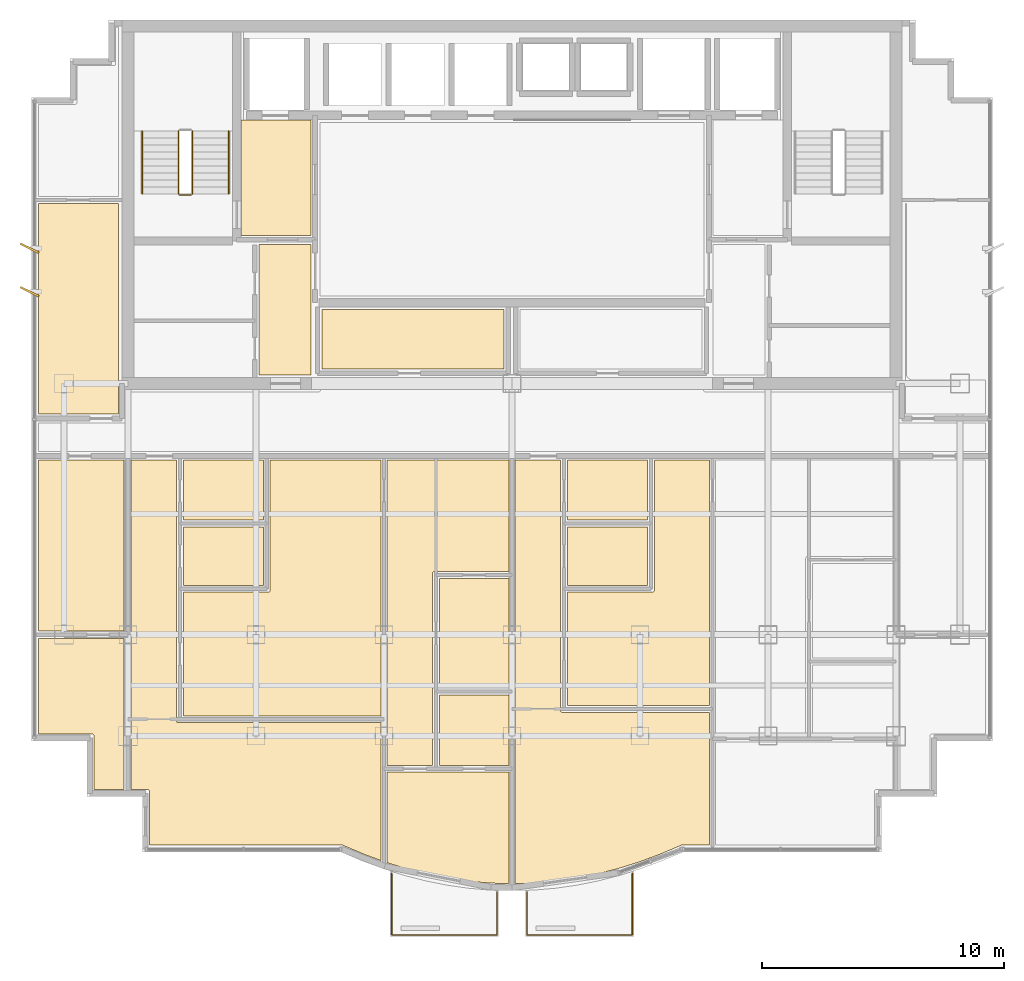
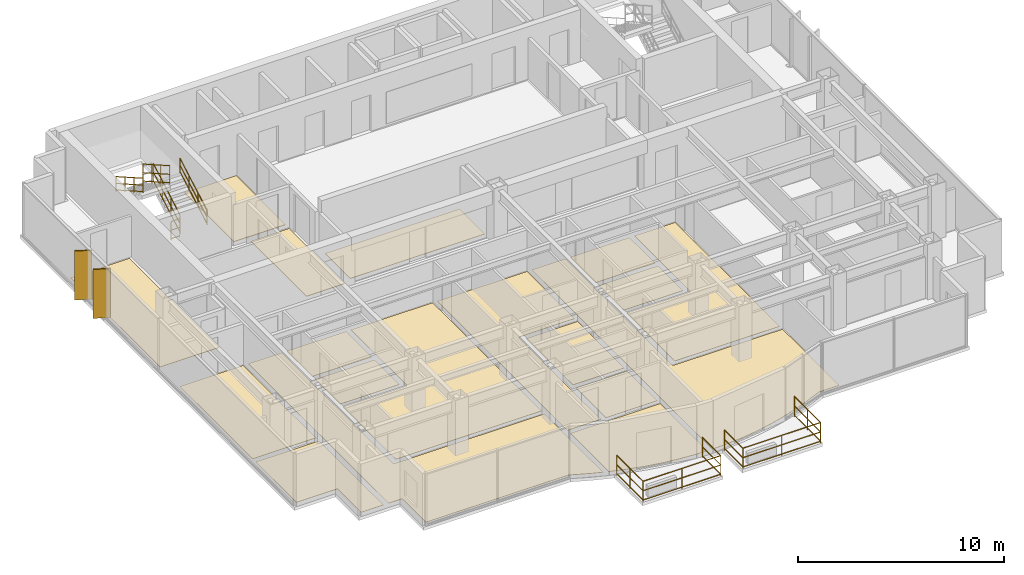
# One storey, part 11 of 12: 18 coverings, 7 railings, 2 shading devices.
"""IFC4 building model written with IfcOpenShell, lengths in metres."""

from ifc_helpers import new_model, si_unit, direction, frame, origin, origin_2d, place, context, subcontext, project, spatial, polyline, rectangle, circle, outline, extrude, source, transform, mapped, material, layer, layer_set, type_object, element, save


model = new_model("IFC4")

# Units and contexts
model_context = context("Model", 3, precision=1e-05, world=origin(), true_north=direction((0.0, 1.0)))
body_context = subcontext(model_context, "Body", "Model", "MODEL_VIEW")
ifc_project = project(units=[si_unit("LENGTHUNIT", "METRE"), si_unit("AREAUNIT", "SQUARE_METRE"), si_unit("VOLUMEUNIT", "CUBIC_METRE"), si_unit("PLANEANGLEUNIT", "RADIAN"), si_unit("MASSUNIT", "GRAM", prefix="KILO")], contexts=[model_context])

# Site, building, storey
site_placement = place(None, origin())
site = spatial("IfcSite", under=ifc_project, at=site_placement, CompositionType="ELEMENT")
building_placement = place(site_placement, origin())
building = spatial("IfcBuilding", under=site, at=building_placement, Name="Qianlan Lanfeng Residences", CompositionType="ELEMENT")
storey_placement = place(building_placement, frame((0.0, 0.0, 219.800048828125)))
storey = spatial("IfcBuildingStorey", under=building, at=storey_placement, Name="L60", CompositionType="ELEMENT", Elevation=219.800048828125)

# Coverings
ifc_material_1 = material(Name="Honed Taitung Granite Stone Flooring", Category="masonry")
ifc_layer_1 = layer(ifc_material_1, 0.030029296875)
ifc_layer_set_1 = layer_set([ifc_layer_1], Name="Honed Taitung Granite Stone Flooring")
covering_type_1 = type_object("IfcCoveringType", Name="FLR-STN-30", PredefinedType="FLOORING", material=ifc_layer_set_1)
covering_1_placement = place(storey_placement, origin())
element("IfcCovering", 1, at=covering_1_placement, inside=storey, type_object=covering_type_1, Name="L60 Firefighting Lift Lobby Floor Finish", PredefinedType="FLOORING", context=body_context, shape_type="SweptSolid", body=[
    extrude(outline(polyline([(15.2900390625, 31.320068359375), (18.179931640625, 31.320068359375), (18.179931640625, 36.110107421875), (15.2900390625, 36.110107421875), (15.2900390625, 31.320068359375)])), origin(), (0.0, 0.0, 1.0), 0.030029296875),
])
covering_2_placement = place(storey_placement, origin())
element("IfcCovering", 2, at=covering_2_placement, inside=storey, type_object=covering_type_1, Name="L60 Lift Lobby Floor Finish", PredefinedType="FLOORING", context=body_context, shape_type="SweptSolid", body=[
    extrude(outline(polyline([(16.030029296875, 25.56005859375), (18.169921875, 25.56005859375), (18.169921875, 30.949951171875), (16.030029296875, 30.949951171875), (16.030029296875, 25.56005859375)])), origin(), (0.0, 0.0, 1.0), 0.030029296875),
])
ifc_material_2 = material(Name="Slip-Resistant Porcelain Tile Flooring")
ifc_layer_2 = layer(ifc_material_2, 0.02001953125)
ifc_layer_set_2 = layer_set([ifc_layer_2], Name="Slip-Resistant Porcelain Tile Flooring")
covering_type_2 = type_object("IfcCoveringType", Name="FLR-TIL-20", PredefinedType="FLOORING", material=ifc_layer_set_2)
covering_3_placement = place(storey_placement, origin())
element("IfcCovering", 3, at=covering_3_placement, inside=storey, type_object=covering_type_2, Name="L60 Kitchen Floor Finish", PredefinedType="FLOORING", context=body_context, shape_type="SweptSolid", body=[
    extrude(outline(polyline([(12.889892578125, 16.840087890625), (16.2099609375, 16.840087890625), (16.2099609375, 19.260009765625), (12.889892578125, 19.260009765625), (12.889892578125, 16.840087890625)])), origin(), (0.0, 0.0, 1.0), 0.02001953125),
])
covering_4_placement = place(storey_placement, origin())
element("IfcCovering", 4, at=covering_4_placement, inside=storey, type_object=covering_type_2, Name="L60 Bathroom Floor Finish", PredefinedType="FLOORING", context=body_context, shape_type="SweptSolid", body=[
    extrude(outline(polyline([(12.889892578125, 19.5400390625), (16.2099609375, 19.5400390625), (16.2099609375, 22.030029296875), (12.889892578125, 22.030029296875), (12.889892578125, 19.5400390625)])), origin(), (0.0, 0.0, 1.0), 0.02001953125),
])
covering_5_placement = place(storey_placement, origin())
element("IfcCovering", 5, at=covering_5_placement, inside=storey, type_object=covering_type_2, Name="L60 En-Suite Bathroom Floor Finish", PredefinedType="FLOORING", context=body_context, shape_type="SweptSolid", body=[
    extrude(outline(polyline([(23.489990234375, 9.387939453125), (26.3701171875, 9.387939453125), (26.3701171875, 12.30810546875), (23.489990234375, 12.30810546875), (23.489990234375, 9.387939453125)])), origin(), (0.0, 0.0, 1.0), 0.02001953125),
])
covering_6_placement = place(storey_placement, origin())
element("IfcCovering", 6, at=covering_6_placement, inside=storey, type_object=covering_type_2, Name="L60 Kitchen Floor Finish", PredefinedType="FLOORING", context=body_context, shape_type="SweptSolid", body=[
    extrude(outline(polyline([(28.7900390625, 16.840087890625), (32.110107421875, 16.840087890625), (32.110107421875, 19.260009765625), (28.7900390625, 19.260009765625), (28.7900390625, 16.840087890625)])), origin(), (0.0, 0.0, 1.0), 0.02001953125),
])
covering_7_placement = place(storey_placement, origin())
element("IfcCovering", 7, at=covering_7_placement, inside=storey, type_object=covering_type_2, Name="L60 Bathroom Floor Finish", PredefinedType="FLOORING", context=body_context, shape_type="SweptSolid", body=[
    extrude(outline(polyline([(28.7900390625, 19.5400390625), (32.110107421875, 19.5400390625), (32.110107421875, 22.030029296875), (28.7900390625, 22.030029296875), (28.7900390625, 19.5400390625)])), origin(), (0.0, 0.0, 1.0), 0.02001953125),
])
ifc_material_3 = material(Name="Engineered Smoked Oak Timber Flooring", Category="wood")
ifc_layer_3 = layer(ifc_material_3, 0.02197265625)
ifc_layer_set_3 = layer_set([ifc_layer_3], Name="Engineered Smoked Oak Timber Flooring")
covering_type_3 = type_object("IfcCoveringType", Name="FLR-TIM-22", PredefinedType="FLOORING", material=ifc_layer_set_3)
covering_8_placement = place(storey_placement, origin())
element("IfcCovering", 8, at=covering_8_placement, inside=storey, type_object=covering_type_3, Name="L60 Resident Study Salon Floor Finish", PredefinedType="FLOORING", context=body_context, shape_type="SweptSolid", body=[
    extrude(outline(polyline([(18.6298828125, 25.800048828125), (26.169921875, 25.800048828125), (26.169921875, 28.2548828125), (18.6298828125, 28.2548828125), (18.6298828125, 25.800048828125)])), origin(), (0.0, 0.0, 1.0), 0.02197265625),
])
covering_9_placement = place(storey_placement, origin())
element("IfcCovering", 9, at=covering_9_placement, inside=storey, type_object=covering_type_3, Name="L60 Living and Dining Room Floor Finish", PredefinedType="FLOORING", context=body_context, shape_type="SweptSolid", body=[
    extrude(outline(polyline([(21.070068359375, 5.452880859375), (21.070068359375, 11.1630859375), (12.679931640625, 11.1630859375), (12.673095703125, 11.1630859375), (12.666015625, 11.1640625), (12.659912109375, 11.166015625), (12.653076171875, 11.16796875), (12.64697265625, 11.1708984375), (12.64111328125, 11.175048828125), (12.635986328125, 11.178955078125), (12.631103515625, 11.18408203125), (12.6259765625, 11.18896484375), (12.6220703125, 11.194091796875), (12.617919921875, 11.199951171875), (12.614990234375, 11.2060546875), (12.613037109375, 11.212890625), (12.611083984375, 11.218994140625), (12.610107421875, 11.22607421875), (12.610107421875, 11.23291015625), (12.610107421875, 22.030029296875), (10.72998046875, 22.030029296875), (10.72998046875, 8.389892578125), (11.419921875, 8.389892578125), (11.427001953125, 8.389892578125), (11.43408203125, 8.388916015625), (11.43994140625, 8.386962890625), (11.447021484375, 8.385009765625), (11.452880859375, 8.382080078125), (11.458984375, 8.3779296875), (11.464111328125, 8.3740234375), (11.468994140625, 8.368896484375), (11.47412109375, 8.364013671875), (11.47802734375, 8.35888671875), (11.48193359375, 8.35302734375), (11.485107421875, 8.346923828125), (11.487060546875, 8.340087890625), (11.489013671875, 8.333984375), (11.489990234375, 8.326904296875), (11.489990234375, 8.320068359375), (11.489990234375, 6.090087890625), (19.465087890625, 6.090087890625), (19.471923828125, 6.090087890625), (19.47900390625, 6.089111328125), (19.485107421875, 6.0869140625), (19.491943359375, 6.083984375), (20.412109375, 5.695068359375), (21.070068359375, 5.452880859375)])), origin(), (0.0, 0.0, 1.0), 0.02197265625),
])
covering_10_placement = place(storey_placement, origin())
element("IfcCovering", 10, at=covering_10_placement, inside=storey, type_object=covering_type_3, Name="L60 Villa Family Sitting Room Floor Finish", PredefinedType="FLOORING", context=body_context, shape_type="SweptSolid", body=[
    extrude(outline(polyline([(12.889892578125, 11.443115234375), (21.070068359375, 11.443115234375), (21.070068359375, 22.030029296875), (16.489990234375, 22.030029296875), (16.489990234375, 16.6298828125), (16.489990234375, 16.623046875), (16.489013671875, 16.615966796875), (16.487060546875, 16.610107421875), (16.485107421875, 16.60302734375), (16.48193359375, 16.596923828125), (16.47802734375, 16.591064453125), (16.47412109375, 16.5859375), (16.468994140625, 16.5810546875), (16.464111328125, 16.575927734375), (16.458984375, 16.572021484375), (16.452880859375, 16.568115234375), (16.447021484375, 16.56494140625), (16.43994140625, 16.56298828125), (16.43408203125, 16.56103515625), (16.427001953125, 16.56005859375), (16.419921875, 16.56005859375), (12.889892578125, 16.56005859375), (12.889892578125, 11.443115234375)])), origin(), (0.0, 0.0, 1.0), 0.02197265625),
])
covering_11_placement = place(storey_placement, origin())
element("IfcCovering", 11, at=covering_11_placement, inside=storey, type_object=covering_type_3, Name="L60 Private Study Floor Finish", PredefinedType="FLOORING", context=body_context, shape_type="SweptSolid", body=[
    extrude(outline(polyline([(23.489990234375, 12.587890625), (26.3701171875, 12.587890625), (26.3701171875, 17.134033203125), (23.489990234375, 17.134033203125), (23.489990234375, 12.587890625)])), origin(), (0.0, 0.0, 1.0), 0.02197265625),
])
covering_12_placement = place(storey_placement, origin())
element("IfcCovering", 12, at=covering_12_placement, inside=storey, type_object=covering_type_3, Name="L60 Villa Family Sitting Room Floor Finish", PredefinedType="FLOORING", context=body_context, shape_type="SweptSolid", body=[
    extrude(outline(polyline([(21.330078125, 9.387939453125), (23.2099609375, 9.387939453125), (23.2099609375, 17.343994140625), (23.2099609375, 17.35107421875), (23.2109375, 17.35791015625), (23.212890625, 17.364013671875), (23.215087890625, 17.37109375), (23.218017578125, 17.376953125), (23.221923828125, 17.383056640625), (23.22607421875, 17.387939453125), (23.23095703125, 17.39306640625), (23.236083984375, 17.39794921875), (23.240966796875, 17.402099609375), (23.2470703125, 17.406005859375), (23.2529296875, 17.408935546875), (23.260009765625, 17.410888671875), (23.26611328125, 17.4130859375), (23.27294921875, 17.4140625), (23.280029296875, 17.4140625), (26.3701171875, 17.4140625), (26.3701171875, 22.030029296875), (21.330078125, 22.030029296875), (21.330078125, 9.387939453125)])), origin(), (0.0, 0.0, 1.0), 0.02197265625),
])
covering_13_placement = place(storey_placement, origin())
element("IfcCovering", 13, at=covering_13_placement, inside=storey, type_object=covering_type_3, Name="L60 Master Bedroom Floor Finish", PredefinedType="FLOORING", context=body_context, shape_type="SweptSolid", body=[
    extrude(outline(polyline([(21.330078125, 9.10791015625), (21.3310546875, 5.360107421875), (22.154052734375, 5.10400390625), (23.02392578125, 4.883056640625), (23.89306640625, 4.7109375), (24.762939453125, 4.587890625), (25.631103515625, 4.514892578125), (26.3701171875, 4.493896484375), (26.3701171875, 9.10791015625), (21.330078125, 9.10791015625)])), origin(), (0.0, 0.0, 1.0), 0.02197265625),
])
covering_14_placement = place(storey_placement, origin())
element("IfcCovering", 14, at=covering_14_placement, inside=storey, type_object=covering_type_3, Name="L60 Living and Dining Room Floor Finish", PredefinedType="FLOORING", context=body_context, shape_type="SweptSolid", body=[
    extrude(outline(polyline([(34.669921875, 6.090087890625), (34.669921875, 11.589111328125), (28.580078125, 11.589111328125), (28.572998046875, 11.589111328125), (28.56591796875, 11.590087890625), (28.56005859375, 11.592041015625), (28.552978515625, 11.593994140625), (28.547119140625, 11.596923828125), (28.541015625, 11.60107421875), (28.535888671875, 11.60498046875), (28.531005859375, 11.610107421875), (28.52587890625, 11.614990234375), (28.52197265625, 11.6201171875), (28.51806640625, 11.6259765625), (28.514892578125, 11.632080078125), (28.512939453125, 11.638916015625), (28.510986328125, 11.64501953125), (28.510009765625, 11.652099609375), (28.510009765625, 11.658935546875), (28.510009765625, 22.030029296875), (26.6298828125, 22.030029296875), (26.6298828125, 4.493896484375), (27.368896484375, 4.514892578125), (28.237060546875, 4.587890625), (29.10693359375, 4.7109375), (29.97607421875, 4.883056640625), (30.845947265625, 5.10400390625), (31.717041015625, 5.375), (32.587890625, 5.695068359375), (33.508056640625, 6.083984375), (33.514892578125, 6.0869140625), (33.52099609375, 6.089111328125), (33.528076171875, 6.090087890625), (33.534912109375, 6.090087890625), (34.669921875, 6.090087890625)])), origin(), (0.0, 0.0, 1.0), 0.02197265625),
])
covering_15_placement = place(storey_placement, origin())
element("IfcCovering", 15, at=covering_15_placement, inside=storey, type_object=covering_type_3, Name="L60 Villa Family Sitting Room Floor Finish", PredefinedType="FLOORING", context=body_context, shape_type="SweptSolid", body=[
    extrude(outline(polyline([(28.7900390625, 11.868896484375), (34.669921875, 11.868896484375), (34.669921875, 22.030029296875), (32.389892578125, 22.030029296875), (32.389892578125, 16.6298828125), (32.389892578125, 16.623046875), (32.388916015625, 16.615966796875), (32.386962890625, 16.610107421875), (32.385009765625, 16.60302734375), (32.382080078125, 16.596923828125), (32.3779296875, 16.591064453125), (32.3740234375, 16.5859375), (32.368896484375, 16.5810546875), (32.364013671875, 16.575927734375), (32.35888671875, 16.572021484375), (32.35302734375, 16.568115234375), (32.346923828125, 16.56494140625), (32.340087890625, 16.56298828125), (32.333984375, 16.56103515625), (32.326904296875, 16.56005859375), (32.320068359375, 16.56005859375), (28.7900390625, 16.56005859375), (28.7900390625, 11.868896484375)])), origin(), (0.0, 0.0, 1.0), 0.02197265625),
])
covering_16_placement = place(storey_placement, origin())
element("IfcCovering", 16, at=covering_16_placement, inside=storey, type_object=covering_type_3, Name="L60 Sunroom Floor Finish", PredefinedType="FLOORING", context=body_context, shape_type="SweptSolid", body=[
    extrude(outline(polyline([(10.43994140625, 14.64990234375), (6.889892578125, 14.64990234375), (6.889892578125, 10.68994140625), (9.1201171875, 10.68994140625), (9.126953125, 10.68994140625), (9.134033203125, 10.68896484375), (9.139892578125, 10.68701171875), (9.14697265625, 10.68505859375), (9.153076171875, 10.681884765625), (9.158935546875, 10.677978515625), (9.1640625, 10.674072265625), (9.1689453125, 10.6689453125), (9.174072265625, 10.6640625), (9.177978515625, 10.658935546875), (9.181884765625, 10.653076171875), (9.18505859375, 10.64697265625), (9.18701171875, 10.639892578125), (9.18896484375, 10.634033203125), (9.18994140625, 10.626953125), (9.18994140625, 10.6201171875), (9.18994140625, 8.389892578125), (10.43994140625, 8.389892578125), (10.43994140625, 14.64990234375)])), origin(), (0.0, 0.0, 1.0), 0.02197265625),
])
covering_17_placement = place(storey_placement, origin())
element("IfcCovering", 17, at=covering_17_placement, inside=storey, type_object=covering_type_3, Name="L60 Family Sitting Room Floor Finish", PredefinedType="FLOORING", context=body_context, shape_type="SweptSolid", body=[
    extrude(outline(polyline([(10.43994140625, 22.030029296875), (6.889892578125, 22.030029296875), (6.889892578125, 14.949951171875), (10.43994140625, 14.949951171875), (10.43994140625, 22.030029296875)])), origin(), (0.0, 0.0, 1.0), 0.02197265625),
])
covering_18_placement = place(storey_placement, origin())
element("IfcCovering", 18, at=covering_18_placement, inside=storey, type_object=covering_type_3, Name="L60 Tea Salon Floor Finish", PredefinedType="FLOORING", context=body_context, shape_type="SweptSolid", body=[
    extrude(outline(polyline([(10.199951171875, 32.64990234375), (6.889892578125, 32.64990234375), (6.889892578125, 23.929931640625), (10.199951171875, 23.929931640625), (10.199951171875, 32.64990234375)])), origin(), (0.0, 0.0, 1.0), 0.02197265625),
])

# Railings
ifc_material_4 = material(Name="Anodised Bronze Aluminium and Laminated Glass Guard Balustrade", Category="aluminium")
railing_type_1 = type_object("IfcRailingType", Name="GR-EXT-1220", PredefinedType="BALUSTRADE", material=ifc_material_4)
railing_1_placement = place(storey_placement, frame((25.8798828125, 4.14794921875, 0.0)))
element("IfcRailing", 19, at=railing_1_placement, inside=storey, type_object=railing_type_1, Name="L60 Terrace Safety Guard GR-L60-SB-W", PredefinedType="BALUSTRADE", context=body_context, shape_type="SweptSolid", body=[
    extrude(circle(Radius=0.02490234375, at=origin_2d()), frame((0.0, 0.0, 0.0849609375), z_axis=(0.0, -1.0, 0.0), x_axis=(1.0, 0.0, 0.0)), (0.0, 0.0, 1.0), 1.77783203125),
    extrude(circle(Radius=0.02490234375, at=origin_2d()), frame((0.0, 0.0, 0.63427734375), z_axis=(0.0, -1.0, 0.0), x_axis=(1.0, 0.0, 0.0)), (0.0, 0.0, 1.0), 1.77783203125),
    extrude(circle(Radius=0.02490234375, at=origin_2d()), frame((0.0, 0.0, 1.19482421875), z_axis=(0.0, -1.0, 0.0), x_axis=(1.0, 0.0, 0.0)), (0.0, 0.0, 1.0), 1.77783203125),
    extrude(circle(Radius=0.02490234375, at=origin_2d()), frame((0.0, -1.77783203125, 0.0849609375), z_axis=(-1.0, 0.0, 0.0), x_axis=(0.0, -1.0, 0.0)), (0.0, 0.0, 1.0), 4.35986328125),
    extrude(circle(Radius=0.02490234375, at=origin_2d()), frame((0.0, -1.77783203125, 0.63427734375), z_axis=(-1.0, 0.0, 0.0), x_axis=(0.0, -1.0, 0.0)), (0.0, 0.0, 1.0), 4.35986328125),
    extrude(circle(Radius=0.02490234375, at=origin_2d()), frame((0.0, -1.77783203125, 1.19482421875), z_axis=(-1.0, 0.0, 0.0), x_axis=(0.0, -1.0, 0.0)), (0.0, 0.0, 1.0), 4.35986328125),
    extrude(circle(Radius=0.02490234375, at=origin_2d()), frame((-4.35986328125, -1.77783203125, 0.0849609375), z_axis=(0.0, 1.0, 0.0), x_axis=(-1.0, 0.0, 0.0)), (0.0, 0.0, 1.0), 2.553955078125),
    extrude(circle(Radius=0.02490234375, at=origin_2d()), frame((-4.35986328125, -1.77783203125, 0.63427734375), z_axis=(0.0, 1.0, 0.0), x_axis=(-1.0, 0.0, 0.0)), (0.0, 0.0, 1.0), 2.553955078125),
    extrude(circle(Radius=0.02490234375, at=origin_2d()), frame((-4.35986328125, -1.77783203125, 1.19482421875), z_axis=(0.0, 1.0, 0.0), x_axis=(-1.0, 0.0, 0.0)), (0.0, 0.0, 1.0), 2.553955078125),
    extrude(circle(Radius=0.02099609375, at=origin_2d()), origin(), (0.0, 0.0, 1.0), 1.169921875),
    extrude(circle(Radius=0.02099609375, at=origin_2d()), frame((0.0, -1.77783203125, 0.0)), (0.0, 0.0, 1.0), 1.169921875),
    extrude(circle(Radius=0.02099609375, at=origin_2d()), frame((-2.179931640625, -1.77783203125, 0.0)), (0.0, 0.0, 1.0), 1.169921875),
    extrude(circle(Radius=0.02099609375, at=origin_2d()), frame((-4.35986328125, -1.77783203125, 0.0)), (0.0, 0.0, 1.0), 1.169921875),
    extrude(circle(Radius=0.02099609375, at=origin_2d()), frame((-4.35986328125, -0.5009765625, 0.0)), (0.0, 0.0, 1.0), 1.169921875),
    extrude(circle(Radius=0.02099609375, at=origin_2d()), frame((-4.35986328125, 0.776123046875, 0.0)), (0.0, 0.0, 1.0), 1.169921875),
])
railing_2_placement = place(storey_placement, frame((31.47998046875, 4.924072265625, 0.0)))
element("IfcRailing", 20, at=railing_2_placement, inside=storey, type_object=railing_type_1, Name="L60 Terrace Safety Guard GR-L60-SB-E", PredefinedType="BALUSTRADE", context=body_context, shape_type="SweptSolid", body=[
    extrude(circle(Radius=0.02490234375, at=origin_2d()), frame((0.0, 0.0, 0.0849609375), z_axis=(0.0, -1.0, 0.0), x_axis=(1.0, 0.0, 0.0)), (0.0, 0.0, 1.0), 2.553955078125),
    extrude(circle(Radius=0.02490234375, at=origin_2d()), frame((0.0, 0.0, 0.63427734375), z_axis=(0.0, -1.0, 0.0), x_axis=(1.0, 0.0, 0.0)), (0.0, 0.0, 1.0), 2.553955078125),
    extrude(circle(Radius=0.02490234375, at=origin_2d()), frame((0.0, 0.0, 1.19482421875), z_axis=(0.0, -1.0, 0.0), x_axis=(1.0, 0.0, 0.0)), (0.0, 0.0, 1.0), 2.553955078125),
    extrude(circle(Radius=0.02490234375, at=origin_2d()), frame((0.0, -2.553955078125, 0.0849609375), z_axis=(-1.0, 0.0, 0.0), x_axis=(0.0, -1.0, 0.0)), (0.0, 0.0, 1.0), 4.35986328125),
    extrude(circle(Radius=0.02490234375, at=origin_2d()), frame((0.0, -2.553955078125, 0.63427734375), z_axis=(-1.0, 0.0, 0.0), x_axis=(0.0, -1.0, 0.0)), (0.0, 0.0, 1.0), 4.35986328125),
    extrude(circle(Radius=0.02490234375, at=origin_2d()), frame((0.0, -2.553955078125, 1.19482421875), z_axis=(-1.0, 0.0, 0.0), x_axis=(0.0, -1.0, 0.0)), (0.0, 0.0, 1.0), 4.35986328125),
    extrude(circle(Radius=0.02490234375, at=origin_2d()), frame((-4.35986328125, -2.553955078125, 0.0849609375), z_axis=(0.0, 1.0, 0.0), x_axis=(-1.0, 0.0, 0.0)), (0.0, 0.0, 1.0), 1.77783203125),
    extrude(circle(Radius=0.02490234375, at=origin_2d()), frame((-4.35986328125, -2.553955078125, 0.63427734375), z_axis=(0.0, 1.0, 0.0), x_axis=(-1.0, 0.0, 0.0)), (0.0, 0.0, 1.0), 1.77783203125),
    extrude(circle(Radius=0.02490234375, at=origin_2d()), frame((-4.35986328125, -2.553955078125, 1.19482421875), z_axis=(0.0, 1.0, 0.0), x_axis=(-1.0, 0.0, 0.0)), (0.0, 0.0, 1.0), 1.77783203125),
    extrude(circle(Radius=0.02099609375, at=origin_2d()), origin(), (0.0, 0.0, 1.0), 1.169921875),
    extrude(circle(Radius=0.02099609375, at=origin_2d()), frame((0.0, -1.27685546875, 0.0)), (0.0, 0.0, 1.0), 1.169921875),
    extrude(circle(Radius=0.02099609375, at=origin_2d()), frame((0.0, -2.553955078125, 0.0)), (0.0, 0.0, 1.0), 1.169921875),
    extrude(circle(Radius=0.02099609375, at=origin_2d()), frame((-2.179931640625, -2.553955078125, 0.0)), (0.0, 0.0, 1.0), 1.169921875),
    extrude(circle(Radius=0.02099609375, at=origin_2d()), frame((-4.35986328125, -2.553955078125, 0.0)), (0.0, 0.0, 1.0), 1.169921875),
    extrude(circle(Radius=0.02099609375, at=origin_2d()), frame((-4.35986328125, -0.776123046875, 0.0)), (0.0, 0.0, 1.0), 1.169921875),
])
ifc_material_5 = material(Name="Painted Galvanised Steel Guardrail", Category="steel")
railing_type_2 = type_object("IfcRailingType", Name="GR-ST-1120", PredefinedType="GUARDRAIL", material=ifc_material_5)
railing_3_placement = place(storey_placement, frame((13.27001953125, 33.050048828125, 0.1650390625)))
element("IfcRailing", 21, at=railing_3_placement, inside=storey, type_object=railing_type_2, Name="L60 ST-1 stair guard 1", PredefinedType="GUARDRAIL", context=body_context, shape_type="SweptSolid", body=[
    extrude(circle(Radius=0.02392578125, at=origin_2d()), frame((0.0, 0.0, 0.083984375), z_axis=(0.0, 0.869172267526, 0.494509422927), x_axis=(-1.0, 0.0, 0.0)), (0.0, 0.0, 1.0), 3.002685546875),
    extrude(circle(Radius=0.02392578125, at=origin_2d()), frame((0.0, 0.0, 0.58251953125), z_axis=(0.0, 0.869172267526, 0.494509422927), x_axis=(-1.0, 0.0, 0.0)), (0.0, 0.0, 1.0), 3.002685546875),
    extrude(circle(Radius=0.02392578125, at=origin_2d()), frame((0.0, 0.0, 1.09619140625), z_axis=(0.0, 0.869172267526, 0.494509422927), x_axis=(-1.0, 0.0, 0.0)), (0.0, 0.0, 1.0), 3.002685546875),
    extrude(circle(Radius=0.02099609375, at=origin_2d()), origin(), (0.0, 0.0, 1.0), 1.072021484375),
    extrude(circle(Radius=0.02099609375, at=origin_2d()), frame((0.0, 0.869873046875, 0.494873046875)), (0.0, 0.0, 1.0), 1.072021484375),
    extrude(circle(Radius=0.02099609375, at=origin_2d()), frame((0.0, 1.739990234375, 0.989990234375)), (0.0, 0.0, 1.0), 1.072021484375),
    extrude(circle(Radius=0.02099609375, at=origin_2d()), frame((0.0, 2.60986328125, 1.48486328125)), (0.0, 0.0, 1.0), 1.072021484375),
])
railing_4_placement = place(storey_placement, frame((12.68994140625, 35.659912109375, 1.81494140625)))
element("IfcRailing", 22, at=railing_4_placement, inside=storey, type_object=railing_type_2, Name="L60 ST-1 stair guard 3", PredefinedType="GUARDRAIL", context=body_context, shape_type="SweptSolid", body=[
    extrude(circle(Radius=0.02392578125, at=origin_2d()), frame((0.0, 0.0, 0.083984375), z_axis=(0.0, -0.869137319866, 0.494570843475), x_axis=(1.0, 0.0, 0.0)), (0.0, 0.0, 1.0), 3.0029296875),
    extrude(circle(Radius=0.02392578125, at=origin_2d()), frame((0.0, 0.0, 0.58251953125), z_axis=(0.0, -0.869137319866, 0.494570843475), x_axis=(1.0, 0.0, 0.0)), (0.0, 0.0, 1.0), 3.0029296875),
    extrude(circle(Radius=0.02392578125, at=origin_2d()), frame((0.0, 0.0, 1.09619140625), z_axis=(0.0, -0.869137319866, 0.494570843475), x_axis=(1.0, 0.0, 0.0)), (0.0, 0.0, 1.0), 3.0029296875),
    extrude(circle(Radius=0.02099609375, at=origin_2d()), origin(), (0.0, 0.0, 1.0), 1.072021484375),
    extrude(circle(Radius=0.02099609375, at=origin_2d()), frame((0.0, -0.869873046875, 0.4951171875)), (0.0, 0.0, 1.0), 1.072021484375),
    extrude(circle(Radius=0.02099609375, at=origin_2d()), frame((0.0, -1.739990234375, 0.989990234375)), (0.0, 0.0, 1.0), 1.072021484375),
    extrude(circle(Radius=0.02099609375, at=origin_2d()), frame((0.0, -2.60986328125, 1.485107421875)), (0.0, 0.0, 1.0), 1.072021484375),
])
railing_5_placement = place(storey_placement, frame((13.219970703125, 33.0, 0.0)))
element("IfcRailing", 23, at=railing_5_placement, inside=storey, type_object=railing_type_2, Name="L60 ST-1 stair guard 4", PredefinedType="GUARDRAIL", context=body_context, shape_type="SweptSolid", body=[
    extrude(circle(Radius=0.02392578125, at=origin_2d()), frame((0.0, 0.0, 0.083984375), z_axis=(-1.0, 0.0, 0.0), x_axis=(0.0, -1.0, 0.0)), (0.0, 0.0, 1.0), 0.47998046875),
    extrude(circle(Radius=0.02392578125, at=origin_2d()), frame((0.0, 0.0, 0.58251953125), z_axis=(-1.0, 0.0, 0.0), x_axis=(0.0, -1.0, 0.0)), (0.0, 0.0, 1.0), 0.47998046875),
    extrude(circle(Radius=0.02392578125, at=origin_2d()), frame((0.0, 0.0, 1.09619140625), z_axis=(-1.0, 0.0, 0.0), x_axis=(0.0, -1.0, 0.0)), (0.0, 0.0, 1.0), 0.47998046875),
    extrude(circle(Radius=0.02099609375, at=origin_2d()), origin(), (0.0, 0.0, 1.0), 1.072021484375),
    extrude(circle(Radius=0.02099609375, at=origin_2d()), frame((-0.47998046875, 0.0, 0.0)), (0.0, 0.0, 1.0), 1.072021484375),
])
ifc_material_6 = material(Name="Brushed Stainless Steel Handrail", Category="steel")
railing_type_3 = type_object("IfcRailingType", Name="HR-ST-920", PredefinedType="HANDRAIL", material=ifc_material_6)
railing_6_placement = place(storey_placement, frame((14.77001953125, 33.050048828125, 0.1650390625)))
element("IfcRailing", 24, at=railing_6_placement, inside=storey, type_object=railing_type_3, Name="L60 ST-1 stair handrail 1", PredefinedType="HANDRAIL", context=body_context, shape_type="SweptSolid", body=[
    extrude(circle(Radius=0.02392578125, at=origin_2d()), frame((0.0, 0.0, 0.083984375), z_axis=(0.0, 0.869172267526, 0.494509422927), x_axis=(-1.0, 0.0, 0.0)), (0.0, 0.0, 1.0), 3.002685546875),
    extrude(circle(Radius=0.02392578125, at=origin_2d()), frame((0.0, 0.0, 0.468017578125), z_axis=(0.0, 0.869172267526, 0.494509422927), x_axis=(-1.0, 0.0, 0.0)), (0.0, 0.0, 1.0), 3.002685546875),
    extrude(circle(Radius=0.02392578125, at=origin_2d()), frame((0.0, 0.0, 0.8759765625), z_axis=(0.0, 0.869172267526, 0.494509422927), x_axis=(-1.0, 0.0, 0.0)), (0.0, 0.0, 1.0), 3.002685546875),
    extrude(circle(Radius=0.02099609375, at=origin_2d()), origin(), (0.0, 0.0, 1.0), 0.851806640625),
    extrude(circle(Radius=0.02099609375, at=origin_2d()), frame((0.0, 0.869873046875, 0.494873046875)), (0.0, 0.0, 1.0), 0.851806640625),
    extrude(circle(Radius=0.02099609375, at=origin_2d()), frame((0.0, 1.739990234375, 0.989990234375)), (0.0, 0.0, 1.0), 0.851806640625),
    extrude(circle(Radius=0.02099609375, at=origin_2d()), frame((0.0, 2.60986328125, 1.48486328125)), (0.0, 0.0, 1.0), 0.851806640625),
])
railing_7_placement = place(storey_placement, frame((11.18994140625, 35.659912109375, 1.81494140625)))
element("IfcRailing", 25, at=railing_7_placement, inside=storey, type_object=railing_type_3, Name="L60 ST-1 stair handrail 2", PredefinedType="HANDRAIL", context=body_context, shape_type="SweptSolid", body=[
    extrude(circle(Radius=0.02392578125, at=origin_2d()), frame((0.0, 0.0, 0.083984375), z_axis=(0.0, -0.869137319866, 0.494570843475), x_axis=(1.0, 0.0, 0.0)), (0.0, 0.0, 1.0), 3.0029296875),
    extrude(circle(Radius=0.02392578125, at=origin_2d()), frame((0.0, 0.0, 0.468017578125), z_axis=(0.0, -0.869137319866, 0.494570843475), x_axis=(1.0, 0.0, 0.0)), (0.0, 0.0, 1.0), 3.0029296875),
    extrude(circle(Radius=0.02392578125, at=origin_2d()), frame((0.0, 0.0, 0.8759765625), z_axis=(0.0, -0.869137319866, 0.494570843475), x_axis=(1.0, 0.0, 0.0)), (0.0, 0.0, 1.0), 3.0029296875),
    extrude(circle(Radius=0.02099609375, at=origin_2d()), origin(), (0.0, 0.0, 1.0), 0.851806640625),
    extrude(circle(Radius=0.02099609375, at=origin_2d()), frame((0.0, -0.869873046875, 0.4951171875)), (0.0, 0.0, 1.0), 0.851806640625),
    extrude(circle(Radius=0.02099609375, at=origin_2d()), frame((0.0, -1.739990234375, 0.989990234375)), (0.0, 0.0, 1.0), 0.851806640625),
    extrude(circle(Radius=0.02099609375, at=origin_2d()), frame((0.0, -2.60986328125, 1.485107421875)), (0.0, 0.0, 1.0), 0.851806640625),
])

# Shading devices
ifc_material_7 = material(Name="Anodised Bronze Aluminium Solar Fin", Category="aluminium")
shading_device_type = type_object("IfcShadingDeviceType", Name="FIN-BRZ-850", PredefinedType="SHUTTER", material=ifc_material_7)
shared_shape = source(origin(), body_context, "Body", "SweptSolid", [
    extrude(rectangle(XDim=0.85009765625, YDim=0.080078125, at=origin_2d()), origin(), (0.0, 0.0, 1.0), 2.89990234375),
])
for number, where, z_axis, x_axis, name in (
    (26, (6.530029296875, 29.0, 0.0), (0.0, 0.0, 1.0), (0.898794046299, -0.438371146789, 0.0), "L60 Raked Bronze Solar Fin W1"),
    (27, (6.530029296875, 30.800048828125, 0.0), (0.0, 0.0, 1.0), (0.898794046299, -0.438371146789, 0.0), "L60 Raked Bronze Solar Fin W2"),
):
    element("IfcShadingDevice", number, at=place(storey_placement, frame(where, z_axis=z_axis, x_axis=x_axis)), inside=storey, type_object=shading_device_type, Name=name, PredefinedType="SHUTTER", context=body_context, shape_type="MappedRepresentation", body=[
        mapped(shared_shape, transform((0.0, 0.0, 0.0), scale=1.0)),
    ])

save(model, "model.ifc")
